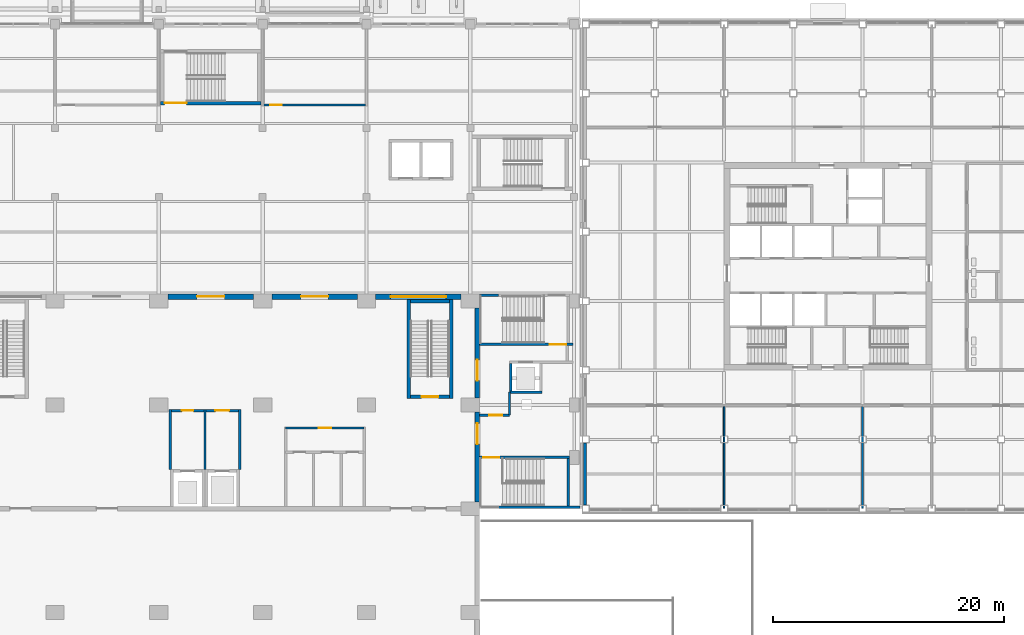
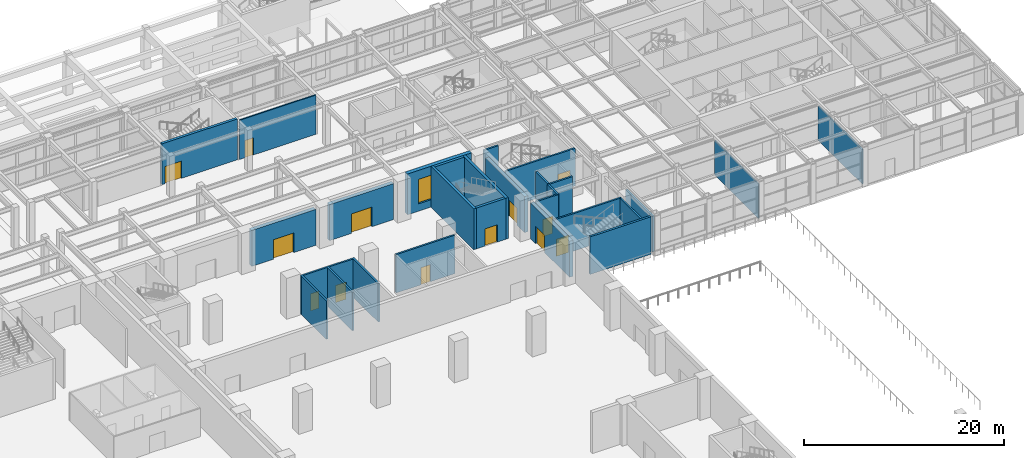
# One storey, part 44 of 77: 28 walls, 13 doors, 1 window, 14 openings.
"""IFC4 building model written with IfcOpenShell, lengths in metres."""

from ifc_helpers import new_model, si_unit, direction, frame, frame_2d, origin, place, context, subcontext, project, spatial, rectangle, extrude, material, layer, layer_set, type_object, element, fill, save


model = new_model("IFC4")

# Units and contexts
model_context = context("Model", 3, precision=1e-05, world=origin(), true_north=direction((0.0, 1.0)))
body_context = subcontext(model_context, "Body", "Model", "MODEL_VIEW")
ifc_project = project(units=[si_unit("LENGTHUNIT", "METRE"), si_unit("AREAUNIT", "SQUARE_METRE"), si_unit("VOLUMEUNIT", "CUBIC_METRE"), si_unit("PLANEANGLEUNIT", "RADIAN"), si_unit("MASSUNIT", "GRAM", prefix="KILO")], contexts=[model_context])

# Site, building, storey
site_placement = place(None, origin())
site = spatial("IfcSite", under=ifc_project, at=site_placement, CompositionType="ELEMENT")
building_placement = place(site_placement, origin())
building = spatial("IfcBuilding", under=site, at=building_placement, Name="Aravalli Gate Trade Fair Centre", CompositionType="ELEMENT")
storey_placement = place(building_placement, origin())
storey = spatial("IfcBuildingStorey", under=building, at=storey_placement, Name="L00", CompositionType="ELEMENT", Elevation=0.0)

# Walls
ifc_material_1 = material(Name="Concrete M40", Category="concrete")
ifc_layer_1 = layer(ifc_material_1, 0.300048828125)
ifc_layer_set_1 = layer_set([ifc_layer_1], Name="Concrete M40")
wall_type_1 = type_object("IfcWallType", Name="Congress RC wall 300", PredefinedType="SHEAR", material=ifc_layer_set_1)
for number, where, z_axis, x_axis, name in (
    (1, (144.64990234375, 100.550048828125, 0.0), (0.0, 0.0, 1.0), (0.0, 1.0, 0.0), "Foyer Stair East wall W L00"),
    (2, (148.35009765625, 100.550048828125, 0.0), (0.0, 0.0, 1.0), (0.0, 1.0, 0.0), "Foyer Stair East wall E L00"),
):
    element("IfcWall", number, at=place(storey_placement, frame(where, z_axis=z_axis, x_axis=x_axis)), inside=storey, type_object=wall_type_1, Name=name, PredefinedType="SHEAR", context=body_context, shape_type="SweptSolid", body=[
        extrude(rectangle(XDim=8.599853515625, YDim=0.300048828125, at=frame_2d((4.2998046875, 0.0))), origin(), (0.0, 0.0, 1.0), 5.0),
    ])

# Wall, opening, door
wall_1_placement = place(storey_placement, frame((144.800048828125, 100.699951171875, 0.0), z_axis=(0.0, 0.0, 1.0), x_axis=(1.0, 0.0, 0.0)))
wall_1 = element("IfcWall", 3, at=wall_1_placement, inside=storey, type_object=wall_type_1, Name="Foyer Stair East wall S L00", PredefinedType="SHEAR", context=body_context, shape_type="SweptSolid", body=[
    extrude(rectangle(XDim=3.39990234375, YDim=0.300048828125, at=frame_2d((1.699951171875, 0.0))), origin(), (0.0, 0.0, 1.0), 5.0),
])
opening_1_placement = place(wall_1_placement, frame((0.97509765625, 0.0, 0.0)))
opening_1 = element("IfcOpeningElement", 4, at=opening_1_placement, cuts=wall_1, Name="Opening G-L00-16", PredefinedType="OPENING", context=body_context, shape_type="SweptSolid", body=[
    extrude(rectangle(XDim=1.449951171875, YDim=2.10009765625, at=frame_2d((0.72509765625, 1.050048828125))), frame((0.0, 0.159912109375, 0.0), z_axis=(0.0, -1.0, 0.0), x_axis=(1.0, 0.0, 0.0)), (0.0, 0.0, 1.0), 0.320068359375),
])
ifc_material_2 = material(Name="Steel, fire rated", Category="steel")
door_type_1 = type_object("IfcDoorType", Name="Congress fire door FD120 1450 x 2100", OperationType="SINGLE_SWING_LEFT", PredefinedType="DOOR", material=ifc_material_2)
door_1_placement = place(opening_1_placement, origin())
door_1 = element("IfcDoor", 5, at=door_1_placement, inside=storey, type_object=door_type_1, Name="Foyer Stair East door L00", OperationType="SINGLE_SWING_LEFT", OverallHeight=2.10009765625, OverallWidth=1.449951171875, PredefinedType="DOOR", context=body_context, shape_type="SweptSolid", body=[
    extrude(rectangle(XDim=1.449951171875, YDim=2.10009765625, at=frame_2d((0.72509765625, 1.050048828125))), frame((0.0, 0.02490234375, 0.0), z_axis=(0.0, -1.0, 0.0), x_axis=(1.0, 0.0, 0.0)), (0.0, 0.0, 1.0), 0.050048828125),
])
fill(opening_1, door_1)

# Wall
wall_2_placement = place(storey_placement, frame((144.800048828125, 109.0, 0.0), z_axis=(0.0, 0.0, 1.0), x_axis=(1.0, 0.0, 0.0)))
element("IfcWall", 6, at=wall_2_placement, inside=storey, type_object=wall_type_1, Name="Foyer Stair East wall N L00", PredefinedType="SHEAR", context=body_context, shape_type="SweptSolid", body=[
    extrude(rectangle(XDim=3.39990234375, YDim=0.300048828125, at=frame_2d((1.699951171875, 0.0))), origin(), (0.0, 0.0, 1.0), 5.0),
])

# Wall, opening, door
ifc_layer_2 = layer(ifc_material_1, 0.25, Name="Structural wall")
ifc_material_3 = material(Name="Ventilated air cavity")
ifc_layer_3 = layer(ifc_material_3, 0.050048828125, ventilated=True, Name="Ventilated cavity")
ifc_material_4 = material(Name="Terracotta rainscreen", Category="masonry")
ifc_layer_4 = layer(ifc_material_4, 0.10009765625, Name="Rainscreen cladding")
ifc_layer_set_2 = layer_set([ifc_layer_2, ifc_layer_3, ifc_layer_4], Name="Congress external wall 400")
wall_type_2 = type_object("IfcWallType", Name="Congress external wall 400", PredefinedType="SOLIDWALL", material=ifc_layer_set_2)
wall_3_placement = place(storey_placement, frame((150.60009765625, 91.60009765625, 0.0), z_axis=(0.0, 0.0, 1.0), x_axis=(0.0, 1.0, 0.0)))
wall_3 = element("IfcWall", 7, at=wall_3_placement, inside=storey, type_object=wall_type_2, Name="East wall L00 bay 6", PredefinedType="SOLIDWALL", context=body_context, shape_type="SweptSolid", body=[
    extrude(rectangle(XDim=7.7998046875, YDim=0.39990234375, at=frame_2d((3.89990234375, 0.0))), origin(), (0.0, 0.0, 1.0), 4.39990234375),
])
opening_2_placement = place(wall_3_placement, frame((5.0, 0.0, 0.0)))
opening_2 = element("IfcOpeningElement", 8, at=opening_2_placement, cuts=wall_3, Name="Opening G-L00-07", PredefinedType="OPENING", context=body_context, shape_type="SweptSolid", body=[
    extrude(rectangle(XDim=1.800048828125, YDim=2.10009765625, at=frame_2d((0.89990234375, 1.050048828125))), frame((0.0, 0.2099609375, 0.0), z_axis=(0.0, -1.0, 0.0), x_axis=(1.0, 0.0, 0.0)), (0.0, 0.0, 1.0), 0.419921875),
])
door_type_2 = type_object("IfcDoorType", Name="Congress fire door FD120 1800 x 2100 double door single swing", OperationType="DOUBLE_DOOR_SINGLE_SWING", PredefinedType="DOOR", material=ifc_material_2)
door_2_placement = place(opening_2_placement, origin())
door_2 = element("IfcDoor", 9, at=door_2_placement, inside=storey, type_object=door_type_2, Name="Link door L00 1", OperationType="DOUBLE_DOOR_SINGLE_SWING", OverallHeight=2.10009765625, OverallWidth=1.800048828125, PredefinedType="DOOR", context=body_context, shape_type="SweptSolid", body=[
    extrude(rectangle(XDim=1.800048828125, YDim=2.10009765625, at=frame_2d((0.89990234375, 1.050048828125))), frame((0.0, 0.02490234375, 0.0), z_axis=(0.0, -1.0, 0.0), x_axis=(1.0, 0.0, 0.0)), (0.0, 0.0, 1.0), 0.050048828125),
])
fill(opening_2, door_2)

wall_4_placement = place(storey_placement, frame((150.60009765625, 100.60009765625, 0.0), z_axis=(0.0, 0.0, 1.0), x_axis=(0.0, 1.0, 0.0)))
wall_4 = element("IfcWall", 10, at=wall_4_placement, inside=storey, type_object=wall_type_2, Name="East wall L00 bay 7", PredefinedType="SOLIDWALL", context=body_context, shape_type="SweptSolid", body=[
    extrude(rectangle(XDim=7.7998046875, YDim=0.39990234375, at=frame_2d((3.89990234375, 0.0))), origin(), (0.0, 0.0, 1.0), 4.39990234375),
])
opening_3_placement = place(wall_4_placement, frame((1.5, 0.0, 0.0)))
opening_3 = element("IfcOpeningElement", 11, at=opening_3_placement, cuts=wall_4, Name="Opening G-L00-08", PredefinedType="OPENING", context=body_context, shape_type="SweptSolid", body=[
    extrude(rectangle(XDim=1.800048828125, YDim=2.10009765625, at=frame_2d((0.89990234375, 1.050048828125))), frame((0.0, 0.2099609375, 0.0), z_axis=(0.0, -1.0, 0.0), x_axis=(1.0, 0.0, 0.0)), (0.0, 0.0, 1.0), 0.419921875),
])
door_3_placement = place(opening_3_placement, frame((1.800048828125, 0.0, 0.0), z_axis=(0.0, 0.0, 1.0), x_axis=(-1.0, 0.0, 0.0)))
door_3 = element("IfcDoor", 12, at=door_3_placement, inside=storey, type_object=door_type_2, Name="Link door L00 2", OperationType="DOUBLE_DOOR_SINGLE_SWING", OverallHeight=2.10009765625, OverallWidth=1.800048828125, PredefinedType="DOOR", context=body_context, shape_type="SweptSolid", body=[
    extrude(rectangle(XDim=1.800048828125, YDim=2.10009765625, at=frame_2d((0.89990234375, 1.050048828125))), frame((0.0, 0.02490234375, 0.0), z_axis=(0.0, -1.0, 0.0), x_axis=(1.0, 0.0, 0.0)), (0.0, 0.0, 1.0), 0.050048828125),
])
fill(opening_3, door_3)

# Walls
ifc_material_5 = material(Name="Concrete block masonry", Category="masonry")
ifc_layer_5 = layer(ifc_material_5, 0.199951171875)
ifc_layer_set_3 = layer_set([ifc_layer_5], Name="Concrete block masonry")
wall_type_3 = type_object("IfcWallType", Name="Congress partition 200", PredefinedType="PARTITIONING", material=ifc_layer_set_3)
for number, where, z_axis, x_axis, name in (
    (13, (124.0, 94.39990234375, 0.0), (0.0, 0.0, 1.0), (0.0, 1.0, 0.0), "Lift lobby wall W L00"),
    (14, (127.0, 94.39990234375, 0.0), (0.0, 0.0, 1.0), (0.0, 1.0, 0.0), "Lift lobby wall M L00"),
    (15, (130.0, 94.39990234375, 0.0), (0.0, 0.0, 1.0), (0.0, 1.0, 0.0), "Lift lobby wall E L00"),
):
    element("IfcWall", number, at=place(storey_placement, frame(where, z_axis=z_axis, x_axis=x_axis)), inside=storey, type_object=wall_type_3, Name=name, PredefinedType="PARTITIONING", context=body_context, shape_type="SweptSolid", body=[
        extrude(rectangle(XDim=5.2001953125, YDim=0.199951171875, at=frame_2d((2.60009765625, 0.0))), origin(), (0.0, 0.0, 1.0), 4.699951171875),
    ])

# Wall, openings, doors
wall_5_placement = place(storey_placement, frame((123.89990234375, 99.5, 0.0), z_axis=(0.0, 0.0, 1.0), x_axis=(1.0, 0.0, 0.0)))
wall_5 = element("IfcWall", 16, at=wall_5_placement, inside=storey, type_object=wall_type_3, Name="Lift lobby wall N L00", PredefinedType="PARTITIONING", context=body_context, shape_type="SweptSolid", body=[
    extrude(rectangle(XDim=6.2001953125, YDim=0.199951171875, at=frame_2d((3.10009765625, 0.0))), origin(), (0.0, 0.0, 1.0), 4.699951171875),
])
opening_4_placement = place(wall_5_placement, frame((1.10009765625, 0.0, 0.0)))
opening_4 = element("IfcOpeningElement", 17, at=opening_4_placement, cuts=wall_5, Name="Opening G-L00-19", PredefinedType="OPENING", context=body_context, shape_type="SweptSolid", body=[
    extrude(rectangle(XDim=1.0, YDim=2.10009765625, at=frame_2d((0.5, 1.050048828125))), frame((0.0, 0.10986328125, 0.0), z_axis=(0.0, -1.0, 0.0), x_axis=(1.0, 0.0, 0.0)), (0.0, 0.0, 1.0), 0.219970703125),
])
opening_5_placement = place(wall_5_placement, frame((4.0, 0.0, 0.0)))
opening_5 = element("IfcOpeningElement", 18, at=opening_5_placement, cuts=wall_5, Name="Opening G-L00-20", PredefinedType="OPENING", context=body_context, shape_type="SweptSolid", body=[
    extrude(rectangle(XDim=1.199951171875, YDim=2.10009765625, at=frame_2d((0.60009765625, 1.050048828125))), frame((0.0, 0.10986328125, 0.0), z_axis=(0.0, -1.0, 0.0), x_axis=(1.0, 0.0, 0.0)), (0.0, 0.0, 1.0), 0.219970703125),
])
door_type_3 = type_object("IfcDoorType", Name="Congress fire door FD120 1200 x 2100", OperationType="SINGLE_SWING_LEFT", PredefinedType="DOOR", material=ifc_material_2)
door_4_placement = place(opening_5_placement, frame((1.199951171875, 0.0, 0.0), z_axis=(0.0, 0.0, 1.0), x_axis=(-1.0, 0.0, 0.0)))
door_4 = element("IfcDoor", 19, at=door_4_placement, inside=storey, type_object=door_type_3, Name="Firefighting lobby door L00", OperationType="SINGLE_SWING_LEFT", OverallHeight=2.10009765625, OverallWidth=1.199951171875, PredefinedType="DOOR", context=body_context, shape_type="SweptSolid", body=[
    extrude(rectangle(XDim=1.199951171875, YDim=2.10009765625, at=frame_2d((0.60009765625, 1.050048828125))), frame((0.0, 0.02490234375, 0.0), z_axis=(0.0, -1.0, 0.0), x_axis=(1.0, 0.0, 0.0)), (0.0, 0.0, 1.0), 0.050048828125),
])
fill(opening_5, door_4)
door_type_4 = type_object("IfcDoorType", Name="Congress fire door FD60 1000 x 2100", OperationType="SINGLE_SWING_LEFT", PredefinedType="DOOR", material=ifc_material_2)
door_5_placement = place(opening_4_placement, origin())
door_5 = element("IfcDoor", 20, at=door_5_placement, inside=storey, type_object=door_type_4, Name="Lift lobby door L00", OperationType="SINGLE_SWING_LEFT", OverallHeight=2.10009765625, OverallWidth=1.0, PredefinedType="DOOR", context=body_context, shape_type="SweptSolid", body=[
    extrude(rectangle(XDim=1.0, YDim=2.10009765625, at=frame_2d((0.5, 1.050048828125))), frame((0.0, 0.02490234375, 0.0), z_axis=(0.0, -1.0, 0.0), x_axis=(1.0, 0.0, 0.0)), (0.0, 0.0, 1.0), 0.050048828125),
])
fill(opening_4, door_5)

# Wall, opening, door
wall_6_placement = place(storey_placement, frame((134.0, 98.0, 0.0), z_axis=(0.0, 0.0, 1.0), x_axis=(1.0, 0.0, 0.0)))
wall_6 = element("IfcWall", 21, at=wall_6_placement, inside=storey, type_object=wall_type_3, Name="WC block front wall L00", PredefinedType="PARTITIONING", context=body_context, shape_type="SweptSolid", body=[
    extrude(rectangle(XDim=6.800048828125, YDim=0.199951171875, at=frame_2d((3.39990234375, 0.0))), origin(), (0.0, 0.0, 1.0), 4.699951171875),
])
opening_6_placement = place(wall_6_placement, frame((2.85009765625, 0.0, 0.0)))
opening_6 = element("IfcOpeningElement", 22, at=opening_6_placement, cuts=wall_6, Name="Opening G-L00-21", PredefinedType="OPENING", context=body_context, shape_type="SweptSolid", body=[
    extrude(rectangle(XDim=1.10009765625, YDim=2.10009765625, at=frame_2d((0.550048828125, 1.050048828125))), frame((0.0, 0.10986328125, 0.0), z_axis=(0.0, -1.0, 0.0), x_axis=(1.0, 0.0, 0.0)), (0.0, 0.0, 1.0), 0.219970703125),
])
door_type_5 = type_object("IfcDoorType", Name="Congress fire door FD60 1100 x 2100", OperationType="SINGLE_SWING_LEFT", PredefinedType="DOOR", material=ifc_material_2)
door_6_placement = place(opening_6_placement, frame((1.10009765625, 0.0, 0.0), z_axis=(0.0, 0.0, 1.0), x_axis=(-1.0, 0.0, 0.0)))
door_6 = element("IfcDoor", 23, at=door_6_placement, inside=storey, type_object=door_type_5, Name="WC anteroom door L00", OperationType="SINGLE_SWING_LEFT", OverallHeight=2.10009765625, OverallWidth=1.10009765625, PredefinedType="DOOR", context=body_context, shape_type="SweptSolid", body=[
    extrude(rectangle(XDim=1.10009765625, YDim=2.10009765625, at=frame_2d((0.550048828125, 1.050048828125))), frame((0.0, 0.02490234375, 0.0), z_axis=(0.0, -1.0, 0.0), x_axis=(1.0, 0.0, 0.0)), (0.0, 0.0, 1.0), 0.050048828125),
])
fill(opening_6, door_6)

ifc_layer_6 = layer(ifc_material_1, 0.449951171875)
ifc_layer_set_4 = layer_set([ifc_layer_6], Name="Concrete M40")
wall_type_4 = type_object("IfcWallType", Name="Congress party wall 450", PredefinedType="SOLIDWALL", material=ifc_layer_set_4)
wall_7_placement = place(storey_placement, frame((123.800048828125, 109.375, 0.0), z_axis=(0.0, 0.0, 1.0), x_axis=(1.0, 0.0, 0.0)))
wall_7 = element("IfcWall", 24, at=wall_7_placement, inside=storey, type_object=wall_type_4, Name="North wall L00 bay 3", PredefinedType="SOLIDWALL", context=body_context, shape_type="SweptSolid", body=[
    extrude(rectangle(XDim=7.39990234375, YDim=0.449951171875, at=frame_2d((3.699951171875, 0.0))), origin(), (0.0, 0.0, 1.0), 4.39990234375),
])
opening_7_placement = place(wall_7_placement, frame((2.52490234375, 0.0, 0.0)))
opening_7 = element("IfcOpeningElement", 25, at=opening_7_placement, cuts=wall_7, Name="Opening G-L00-10", PredefinedType="OPENING", context=body_context, shape_type="SweptSolid", body=[
    extrude(rectangle(XDim=2.35009765625, YDim=2.39990234375, at=frame_2d((1.175048828125, 1.199951171875))), frame((0.0, 0.23486328125, 0.0), z_axis=(0.0, -1.0, 0.0), x_axis=(1.0, 0.0, 0.0)), (0.0, 0.0, 1.0), 0.469970703125),
])
ifc_material_6 = material(Name="Aluminium and glass", Category="aluminium")
door_type_6 = type_object("IfcDoorType", Name="Congress glazed entrance door 2350 x 2400 double door single swing", OperationType="DOUBLE_DOOR_SINGLE_SWING", PredefinedType="DOOR", material=ifc_material_6)
door_7_placement = place(opening_7_placement, origin())
door_7 = element("IfcDoor", 26, at=door_7_placement, inside=storey, type_object=door_type_6, Name="Foyer entrance door 2", OperationType="DOUBLE_DOOR_SINGLE_SWING", OverallHeight=2.39990234375, OverallWidth=2.35009765625, PredefinedType="DOOR", context=body_context, shape_type="SweptSolid", body=[
    extrude(rectangle(XDim=2.35009765625, YDim=2.39990234375, at=frame_2d((1.175048828125, 1.199951171875))), frame((0.0, 0.02490234375, 0.0), z_axis=(0.0, -1.0, 0.0), x_axis=(1.0, 0.0, 0.0)), (0.0, 0.0, 1.0), 0.050048828125),
])
fill(opening_7, door_7)

wall_8_placement = place(storey_placement, frame((132.800048828125, 109.375, 0.0), z_axis=(0.0, 0.0, 1.0), x_axis=(1.0, 0.0, 0.0)))
wall_8 = element("IfcWall", 27, at=wall_8_placement, inside=storey, type_object=wall_type_4, Name="North wall L00 bay 4", PredefinedType="SOLIDWALL", context=body_context, shape_type="SweptSolid", body=[
    extrude(rectangle(XDim=7.39990234375, YDim=0.449951171875, at=frame_2d((3.699951171875, 0.0))), origin(), (0.0, 0.0, 1.0), 4.39990234375),
])
opening_8_placement = place(wall_8_placement, frame((2.52490234375, 0.0, 0.0)))
opening_8 = element("IfcOpeningElement", 28, at=opening_8_placement, cuts=wall_8, Name="Opening G-L00-11", PredefinedType="OPENING", context=body_context, shape_type="SweptSolid", body=[
    extrude(rectangle(XDim=2.35009765625, YDim=2.39990234375, at=frame_2d((1.175048828125, 1.199951171875))), frame((0.0, 0.23486328125, 0.0), z_axis=(0.0, -1.0, 0.0), x_axis=(1.0, 0.0, 0.0)), (0.0, 0.0, 1.0), 0.469970703125),
])
door_8_placement = place(opening_8_placement, frame((2.35009765625, 0.0, 0.0), z_axis=(0.0, 0.0, 1.0), x_axis=(-1.0, 0.0, 0.0)))
door_8 = element("IfcDoor", 29, at=door_8_placement, inside=storey, type_object=door_type_6, Name="Foyer entrance door 3", OperationType="DOUBLE_DOOR_SINGLE_SWING", OverallHeight=2.39990234375, OverallWidth=2.35009765625, PredefinedType="DOOR", context=body_context, shape_type="SweptSolid", body=[
    extrude(rectangle(XDim=2.35009765625, YDim=2.39990234375, at=frame_2d((1.175048828125, 1.199951171875))), frame((0.0, 0.02490234375, 0.0), z_axis=(0.0, -1.0, 0.0), x_axis=(1.0, 0.0, 0.0)), (0.0, 0.0, 1.0), 0.050048828125),
])
fill(opening_8, door_8)

# Wall, opening, window
wall_9_placement = place(storey_placement, frame((141.800048828125, 109.375, 0.0), z_axis=(0.0, 0.0, 1.0), x_axis=(1.0, 0.0, 0.0)))
wall_9 = element("IfcWall", 30, at=wall_9_placement, inside=storey, type_object=wall_type_4, Name="North wall L00 bay 5", PredefinedType="SOLIDWALL", context=body_context, shape_type="SweptSolid", body=[
    extrude(rectangle(XDim=7.39990234375, YDim=0.449951171875, at=frame_2d((3.699951171875, 0.0))), origin(), (0.0, 0.0, 1.0), 5.0),
])
opening_9_placement = place(wall_9_placement, frame((1.300048828125, 0.0, 0.89990234375)))
opening_9 = element("IfcOpeningElement", 31, at=opening_9_placement, cuts=wall_9, Name="Opening GWN3", PredefinedType="OPENING", context=body_context, shape_type="SweptSolid", body=[
    extrude(rectangle(XDim=4.800048828125, YDim=3.0, at=frame_2d((2.39990234375, 1.5))), frame((0.0, 0.23486328125, 0.0), z_axis=(0.0, -1.0, 0.0), x_axis=(1.0, 0.0, 0.0)), (0.0, 0.0, 1.0), 0.469970703125),
])
window_type = type_object("IfcWindowType", Name="Congress foyer window 4800 x 3000", PartitioningType="SINGLE_PANEL", PredefinedType="WINDOW", material=ifc_material_6)
window_placement = place(opening_9_placement, origin())
window = element("IfcWindow", 32, at=window_placement, inside=storey, type_object=window_type, Name="Foyer window L00 bay 5", OverallHeight=3.0, OverallWidth=4.800048828125, PartitioningType="SINGLE_PANEL", PredefinedType="WINDOW", context=body_context, shape_type="SweptSolid", body=[
    extrude(rectangle(XDim=4.800048828125, YDim=3.0, at=frame_2d((2.39990234375, 1.5))), frame((0.0, 0.030029296875, 0.0), z_axis=(0.0, -1.0, 0.0), x_axis=(1.0, 0.0, 0.0)), (0.0, 0.0, 1.0), 0.06005859375),
])
fill(opening_9, window)

# Walls
ifc_material_7 = material(Name="Concrete M30", Category="concrete")
ifc_layer_7 = layer(ifc_material_7, 0.2099609375, Name="Reinforced concrete")
ifc_material_8 = material(Name="Terracotta cladding", Category="masonry")
ifc_layer_8 = layer(ifc_material_8, 0.0400390625, Name="Terracotta cladding")
ifc_layer_set_5 = layer_set([ifc_layer_7, ifc_layer_8], Name="Link external wall 250")
wall_type_5 = type_object("IfcWallType", Name="Link external wall 250", PredefinedType="SOLIDWALL", material=ifc_layer_set_5)
wall_10_placement = place(storey_placement, frame((152.449951171875, 91.125, 0.0), z_axis=(0.0, 0.0, 1.0), x_axis=(1.0, 0.0, 0.0)))
element("IfcWall", 33, at=wall_10_placement, inside=storey, type_object=wall_type_5, Name="Link wall S2 L00", PredefinedType="SOLIDWALL", context=body_context, shape_type="SweptSolid", body=[
    extrude(rectangle(XDim=7.050048828125, YDim=0.25, at=frame_2d((3.52490234375, 0.0))), origin(), (0.0, 0.0, 1.0), 4.590087890625),
])
wall_11_placement = place(storey_placement, frame((150.800048828125, 109.5, 0.0), z_axis=(0.0, 0.0, 1.0), x_axis=(1.0, 0.0, 0.0)))
element("IfcWall", 34, at=wall_11_placement, inside=storey, type_object=wall_type_5, Name="Link wall N1 L00", PredefinedType="SOLIDWALL", context=body_context, shape_type="SweptSolid", body=[
    extrude(rectangle(XDim=1.64990234375, YDim=0.199951171875, at=frame_2d((0.824951171875, 0.0))), origin(), (0.0, 0.0, 1.0), 4.590087890625),
])

# Wall, opening, door
ifc_layer_9 = layer(ifc_material_7, 0.199951171875)
ifc_layer_set_6 = layer_set([ifc_layer_9], Name="Concrete M30")
wall_type_6 = type_object("IfcWallType", Name="Link stair enclosure 200", PredefinedType="SOLIDWALL", material=ifc_layer_set_6)
wall_12_placement = place(storey_placement, frame((150.800048828125, 95.449951171875, 0.0), z_axis=(0.0, 0.0, 1.0), x_axis=(1.0, 0.0, 0.0)))
wall_12 = element("IfcWall", 35, at=wall_12_placement, inside=storey, type_object=wall_type_6, Name="Link wall LAN L00", PredefinedType="SOLIDWALL", context=body_context, shape_type="SweptSolid", body=[
    extrude(rectangle(XDim=7.800048828125, YDim=0.199951171875, at=frame_2d((3.89990234375, 0.0))), origin(), (0.0, 0.0, 1.0), 4.590087890625),
])
opening_10_placement = place(wall_12_placement, frame((0.300048828125, 0.0, 0.0)))
opening_10 = element("IfcOpeningElement", 36, at=opening_10_placement, cuts=wall_12, Name="Opening T-L00-191", PredefinedType="OPENING", context=body_context, shape_type="SweptSolid", body=[
    extrude(rectangle(XDim=1.39990234375, YDim=2.10009765625, at=frame_2d((0.699951171875, 1.050048828125))), frame((0.0, 0.10986328125, 0.0), z_axis=(0.0, -1.0, 0.0), x_axis=(1.0, 0.0, 0.0)), (0.0, 0.0, 1.0), 0.219970703125),
])
door_type_7 = type_object("IfcDoorType", Name="Wing fire door FD120 1400 x 2100", OperationType="DOUBLE_DOOR_SINGLE_SWING", PredefinedType="DOOR", material=ifc_material_2)
door_9_placement = place(opening_10_placement, frame((1.39990234375, 0.0, 0.0), z_axis=(0.0, 0.0, 1.0), x_axis=(-1.0, 0.0, 0.0)))
door_9 = element("IfcDoor", 37, at=door_9_placement, inside=storey, type_object=door_type_7, Name="Link door T-L00-191", OperationType="DOUBLE_DOOR_SINGLE_SWING", OverallHeight=2.10009765625, OverallWidth=1.39990234375, PredefinedType="DOOR", context=body_context, shape_type="SweptSolid", body=[
    extrude(rectangle(XDim=1.39990234375, YDim=2.10009765625, at=frame_2d((0.699951171875, 1.050048828125))), frame((0.0, 0.02490234375, 0.0), z_axis=(0.0, -1.0, 0.0), x_axis=(1.0, 0.0, 0.0)), (0.0, 0.0, 1.0), 0.050048828125),
])
fill(opening_10, door_9)

wall_13_placement = place(storey_placement, frame((150.800048828125, 105.25, 0.0), z_axis=(0.0, 0.0, 1.0), x_axis=(1.0, 0.0, 0.0)))
wall_13 = element("IfcWall", 38, at=wall_13_placement, inside=storey, type_object=wall_type_6, Name="Link wall LBS L00", PredefinedType="SOLIDWALL", context=body_context, shape_type="SweptSolid", body=[
    extrude(rectangle(XDim=8.094970703125, YDim=0.199951171875, at=frame_2d((4.04736328125, 0.0))), origin(), (0.0, 0.0, 1.0), 4.590087890625),
])
opening_11_placement = place(wall_13_placement, frame((6.10009765625, 0.0, 0.0)))
opening_11 = element("IfcOpeningElement", 39, at=opening_11_placement, cuts=wall_13, Name="Opening T-L00-192", PredefinedType="OPENING", context=body_context, shape_type="SweptSolid", body=[
    extrude(rectangle(XDim=1.39990234375, YDim=2.10009765625, at=frame_2d((0.699951171875, 1.050048828125))), frame((0.0, 0.10986328125, 0.0), z_axis=(0.0, -1.0, 0.0), x_axis=(1.0, 0.0, 0.0)), (0.0, 0.0, 1.0), 0.219970703125),
])
door_10_placement = place(opening_11_placement, origin())
door_10 = element("IfcDoor", 40, at=door_10_placement, inside=storey, type_object=door_type_7, Name="Link door T-L00-192", OperationType="DOUBLE_DOOR_SINGLE_SWING", OverallHeight=2.10009765625, OverallWidth=1.39990234375, PredefinedType="DOOR", context=body_context, shape_type="SweptSolid", body=[
    extrude(rectangle(XDim=1.39990234375, YDim=2.10009765625, at=frame_2d((0.699951171875, 1.050048828125))), frame((0.0, 0.02490234375, 0.0), z_axis=(0.0, -1.0, 0.0), x_axis=(1.0, 0.0, 0.0)), (0.0, 0.0, 1.0), 0.050048828125),
])
fill(opening_11, door_10)

# Wall
wall_14_placement = place(storey_placement, frame((158.5, 91.25, 0.0), z_axis=(0.0, 0.0, 1.0), x_axis=(0.0, 1.0, 0.0)))
element("IfcWall", 41, at=wall_14_placement, inside=storey, type_object=wall_type_6, Name="Link wall LAE L00", PredefinedType="SOLIDWALL", context=body_context, shape_type="SweptSolid", body=[
    extrude(rectangle(XDim=4.10009765625, YDim=0.199951171875, at=frame_2d((2.050048828125, 0.0))), origin(), (0.0, 0.0, 1.0), 4.590087890625),
])

# Wall, opening, door
wall_15_placement = place(storey_placement, frame((150.800048828125, 99.10009765625, 0.0), z_axis=(0.0, 0.0, 1.0), x_axis=(1.0, 0.0, 0.0)))
wall_15 = element("IfcWall", 42, at=wall_15_placement, inside=storey, type_object=wall_type_6, Name="Link wall FHA L00", PredefinedType="SOLIDWALL", context=body_context, shape_type="SweptSolid", body=[
    extrude(rectangle(XDim=2.599853515625, YDim=0.199951171875, at=frame_2d((1.2998046875, 0.0))), origin(), (0.0, 0.0, 1.0), 4.590087890625),
])
opening_12_placement = place(wall_15_placement, frame((0.85009765625, 0.0, 0.0)))
opening_12 = element("IfcOpeningElement", 43, at=opening_12_placement, cuts=wall_15, Name="Opening T-L00-193", PredefinedType="OPENING", context=body_context, shape_type="SweptSolid", body=[
    extrude(rectangle(XDim=1.10009765625, YDim=2.10009765625, at=frame_2d((0.550048828125, 1.050048828125))), frame((0.0, 0.10986328125, 0.0), z_axis=(0.0, -1.0, 0.0), x_axis=(1.0, 0.0, 0.0)), (0.0, 0.0, 1.0), 0.219970703125),
])
door_type_8 = type_object("IfcDoorType", Name="Wing fire door FD120 1100 x 2100", OperationType="SINGLE_SWING_LEFT", PredefinedType="DOOR", material=ifc_material_2)
door_11_placement = place(opening_12_placement, origin())
door_11 = element("IfcDoor", 44, at=door_11_placement, inside=storey, type_object=door_type_8, Name="Firefighting lobby door T-L00-193", OperationType="SINGLE_SWING_RIGHT", OverallHeight=2.10009765625, OverallWidth=1.10009765625, PredefinedType="DOOR", context=body_context, shape_type="SweptSolid", body=[
    extrude(rectangle(XDim=1.10009765625, YDim=2.10009765625, at=frame_2d((0.550048828125, 1.050048828125))), frame((0.0, 0.02490234375, 0.0), z_axis=(0.0, -1.0, 0.0), x_axis=(1.0, 0.0, 0.0)), (0.0, 0.0, 1.0), 0.050048828125),
])
fill(opening_12, door_11)

# Walls
wall_16_placement = place(storey_placement, frame((153.39990234375, 99.10009765625, 0.0), z_axis=(0.0, 0.0, 1.0), x_axis=(0.0, 1.0, 0.0)))
element("IfcWall", 45, at=wall_16_placement, inside=storey, type_object=wall_type_6, Name="Link wall FHC L00", PredefinedType="SOLIDWALL", context=body_context, shape_type="SweptSolid", body=[
    extrude(rectangle(XDim=2.0, YDim=0.199951171875, at=frame_2d((1.0, 0.0))), origin(), (0.0, 0.0, 1.0), 4.590087890625),
])
wall_17_placement = place(storey_placement, frame((153.5, 101.199951171875, 0.0), z_axis=(0.0, 0.0, 1.0), x_axis=(0.0, 1.0, 0.0)))
element("IfcWall", 46, at=wall_17_placement, inside=storey, type_object=wall_type_6, Name="Link wall FHW L00", PredefinedType="SOLIDWALL", context=body_context, shape_type="SweptSolid", body=[
    extrude(rectangle(XDim=2.400146484375, YDim=0.199951171875, at=frame_2d((1.2001953125, 0.0))), origin(), (0.0, 0.0, 1.0), 4.590087890625),
])
wall_18_placement = place(storey_placement, frame((153.39990234375, 101.10009765625, 0.0), z_axis=(0.0, 0.0, 1.0), x_axis=(1.0, 0.0, 0.0)))
element("IfcWall", 47, at=wall_18_placement, inside=storey, type_object=wall_type_6, Name="Link wall FHB L00", PredefinedType="SOLIDWALL", context=body_context, shape_type="SweptSolid", body=[
    extrude(rectangle(XDim=2.800048828125, YDim=0.199951171875, at=frame_2d((1.39990234375, 0.0))), origin(), (0.0, 0.0, 1.0), 4.590087890625),
])

# Wall, opening, door
ifc_material_9 = material(Name="Gypsum board")
ifc_layer_10 = layer(ifc_material_9, 0.02490234375, Name="Gypsum board lining")
ifc_material_10 = material(Name="Galvanised stud framing")
ifc_layer_11 = layer(ifc_material_10, 0.10009765625, Name="Stud framing")
ifc_layer_12 = layer(ifc_material_9, 0.02490234375, Name="Gypsum board lining")
ifc_layer_set_7 = layer_set([ifc_layer_10, ifc_layer_11, ifc_layer_12], Name="Partition wall 150")
wall_type_7 = type_object("IfcWallType", Name="Partition wall 150", PredefinedType="PARTITIONING", material=ifc_layer_set_7)
wall_19_placement = place(storey_placement, frame((132.074951171875, 126.0, 0.0), z_axis=(0.0, 0.0, 1.0), x_axis=(1.0, 0.0, 0.0)))
wall_19 = element("IfcWall", 48, at=wall_19_placement, inside=storey, type_object=wall_type_7, Name="Partition Security Room south L00", PredefinedType="PARTITIONING", context=body_context, shape_type="SweptSolid", body=[
    extrude(rectangle(XDim=8.85009765625, YDim=0.14990234375, at=frame_2d((4.425048828125, 0.0))), origin(), (0.0, 0.0, 1.0), 4.800048828125),
])
opening_13_placement = place(wall_19_placement, frame((0.60009765625, 0.0, 0.0)))
opening_13 = element("IfcOpeningElement", 49, at=opening_13_placement, cuts=wall_19, Name="Opening C-L00-40", PredefinedType="OPENING", context=body_context, shape_type="SweptSolid", body=[
    extrude(rectangle(XDim=1.0, YDim=2.10009765625, at=frame_2d((0.5, 1.050048828125))), frame((0.0, 0.0849609375, 0.0), z_axis=(0.0, -1.0, 0.0), x_axis=(1.0, 0.0, 0.0)), (0.0, 0.0, 1.0), 0.169921875),
])
door_type_9 = type_object("IfcDoorType", Name="Room door 1000 x 2100", OperationType="SINGLE_SWING_RIGHT", PredefinedType="NOTDEFINED", material=ifc_material_2)
door_12_placement = place(opening_13_placement, frame((1.0, 0.0, 0.0), z_axis=(0.0, 0.0, 1.0), x_axis=(-1.0, 0.0, 0.0)))
door_12 = element("IfcDoor", 50, at=door_12_placement, inside=storey, type_object=door_type_9, Name="Door Security Room L00", OperationType="SINGLE_SWING_LEFT", OverallHeight=2.10009765625, OverallWidth=1.0, PredefinedType="NOTDEFINED", context=body_context, shape_type="SweptSolid", body=[
    extrude(rectangle(XDim=1.0, YDim=2.10009765625, at=frame_2d((0.5, 1.050048828125))), frame((0.0, 0.02490234375, 0.0), z_axis=(0.0, -1.0, 0.0), x_axis=(1.0, 0.0, 0.0)), (0.0, 0.0, 1.0), 0.050048828125),
])
fill(opening_13, door_12)

ifc_layer_13 = layer(ifc_material_1, 0.300048828125)
ifc_layer_set_8 = layer_set([ifc_layer_13], Name="Concrete M40")
wall_type_8 = type_object("IfcWallType", Name="RC core wall 300", PredefinedType="SHEAR", material=ifc_layer_set_8)
wall_20_placement = place(storey_placement, frame((123.14990234375, 126.14990234375, 0.0), z_axis=(0.0, 0.0, 1.0), x_axis=(1.0, 0.0, 0.0)))
wall_20 = element("IfcWall", 51, at=wall_20_placement, inside=storey, type_object=wall_type_8, Name="Core wall XES L00", PredefinedType="SHEAR", context=body_context, shape_type="SweptSolid", body=[
    extrude(rectangle(XDim=8.7001953125, YDim=0.300048828125, at=frame_2d((4.35009765625, 0.0))), origin(), (0.0, 0.0, 1.0), 5.0),
])
opening_14_placement = place(wall_20_placement, frame((0.35009765625, 0.0, 0.0)))
opening_14 = element("IfcOpeningElement", 52, at=opening_14_placement, cuts=wall_20, Name="Opening C-L00-34", PredefinedType="OPENING", context=body_context, shape_type="SweptSolid", body=[
    extrude(rectangle(XDim=1.89990234375, YDim=2.10009765625, at=frame_2d((0.949951171875, 1.050048828125))), frame((0.0, 0.159912109375, 0.0), z_axis=(0.0, -1.0, 0.0), x_axis=(1.0, 0.0, 0.0)), (0.0, 0.0, 1.0), 0.320068359375),
])
door_type_10 = type_object("IfcDoorType", Name="Concourse stair door 1900 x 2100", OperationType="DOUBLE_DOOR_SINGLE_SWING", PredefinedType="NOTDEFINED", material=ifc_material_2)
door_13_placement = place(opening_14_placement, origin())
door_13 = element("IfcDoor", 53, at=door_13_placement, inside=storey, type_object=door_type_10, Name="Stair door XE L00", OperationType="DOUBLE_DOOR_SINGLE_SWING", OverallHeight=2.10009765625, OverallWidth=1.89990234375, PredefinedType="NOTDEFINED", context=body_context, shape_type="SweptSolid", body=[
    extrude(rectangle(XDim=1.89990234375, YDim=2.10009765625, at=frame_2d((0.949951171875, 1.050048828125))), frame((0.0, 0.02490234375, 0.0), z_axis=(0.0, -1.0, 0.0), x_axis=(1.0, 0.0, 0.0)), (0.0, 0.0, 1.0), 0.050048828125),
])
fill(opening_14, door_13)

# Walls
ifc_material_11 = material(Name="Blockwork with fire-rated lining", Category="masonry")
ifc_layer_14 = layer(ifc_material_11, 0.14990234375)
ifc_layer_set_9 = layer_set([ifc_layer_14], Name="Blockwork with fire-rated lining")
wall_type_9 = type_object("IfcWallType", Name="Wing partition 150 (EI 120, plant room)", PredefinedType="PARTITIONING", material=ifc_layer_set_9)
wall_21_placement = place(storey_placement, frame((184.0, 91.050048828125, 0.0), z_axis=(0.0, 0.0, 1.0), x_axis=(0.0, 1.0, 0.0)))
element("IfcWall", 54, at=wall_21_placement, inside=storey, type_object=wall_type_9, Name="Partition SP2 L00", PredefinedType="PARTITIONING", context=body_context, shape_type="SweptSolid", body=[
    extrude(rectangle(XDim=8.800048828125, YDim=0.14990234375, at=frame_2d((4.39990234375, 0.0))), origin(), (0.0, 0.0, 1.0), 4.199951171875),
])
ifc_layer_15 = layer(ifc_material_11, 0.14990234375)
ifc_layer_set_10 = layer_set([ifc_layer_15], Name="Blockwork with fire-rated lining")
wall_type_10 = type_object("IfcWallType", Name="Wing partition 150 (EI 60, corridor wall)", PredefinedType="PARTITIONING", material=ifc_layer_set_10)
wall_22_placement = place(storey_placement, frame((172.0, 91.050048828125, 0.0), z_axis=(0.0, 0.0, 1.0), x_axis=(0.0, 1.0, 0.0)))
element("IfcWall", 55, at=wall_22_placement, inside=storey, type_object=wall_type_10, Name="Partition SP1 L00", PredefinedType="PARTITIONING", context=body_context, shape_type="SweptSolid", body=[
    extrude(rectangle(XDim=8.800048828125, YDim=0.14990234375, at=frame_2d((4.39990234375, 0.0))), origin(), (0.0, 0.0, 1.0), 4.199951171875),
])
ifc_layer_16 = layer(ifc_material_5, 0.2099609375, Name="Block masonry")
ifc_layer_17 = layer(ifc_material_8, 0.0400390625, Name="Terracotta cladding")
ifc_layer_set_11 = layer_set([ifc_layer_16, ifc_layer_17], Name="Wing west closing wall 250")
wall_type_11 = type_object("IfcWallType", Name="Wing west closing wall 250", PredefinedType="SOLIDWALL", material=ifc_layer_set_11)
wall_23_placement = place(storey_placement, frame((159.925048828125, 91.300048828125, 0.0), z_axis=(0.0, 0.0, 1.0), x_axis=(0.0, 1.0, 0.0)))
element("IfcWall", 56, at=wall_23_placement, inside=storey, type_object=wall_type_11, Name="Facade wall W0 L00", PredefinedType="SOLIDWALL", context=body_context, shape_type="SweptSolid", body=[
    extrude(rectangle(XDim=5.39990234375, YDim=0.25, at=frame_2d((2.699951171875, 0.0))), origin(), (0.0, 0.0, 1.0), 4.35009765625),
])

save(model, "model.ifc")
